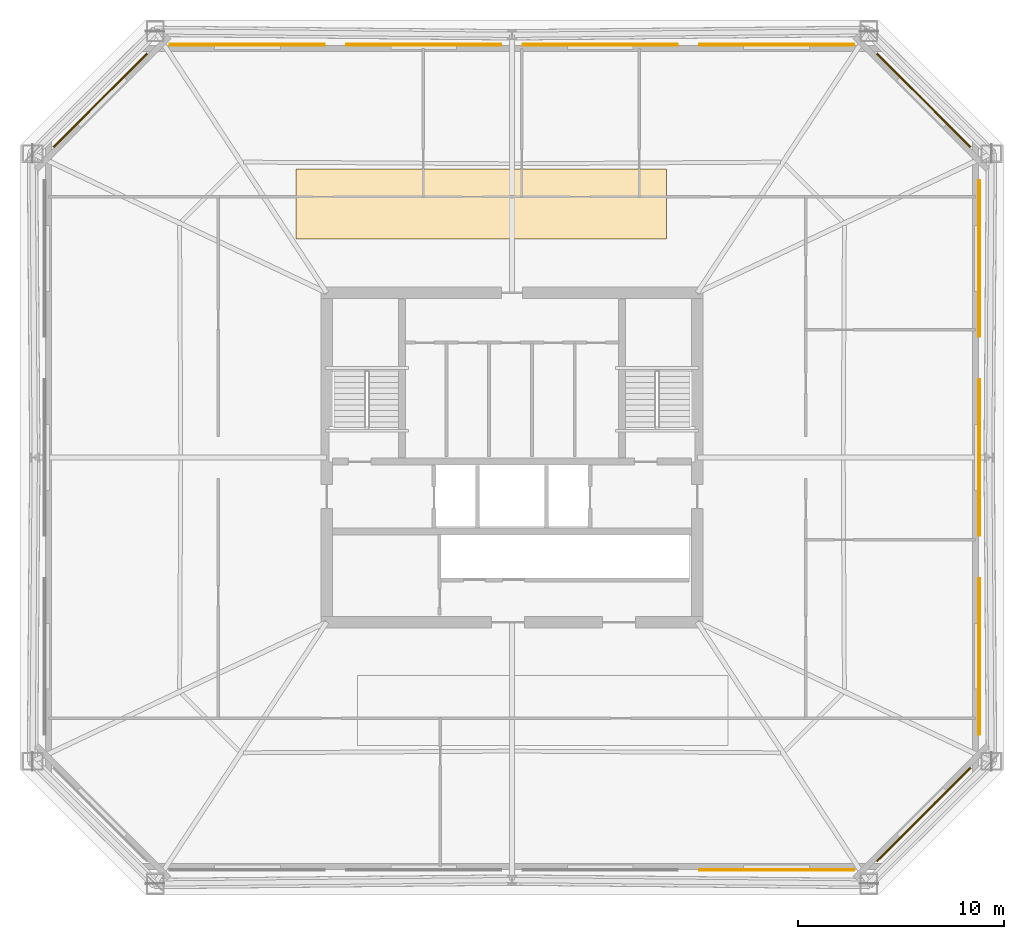
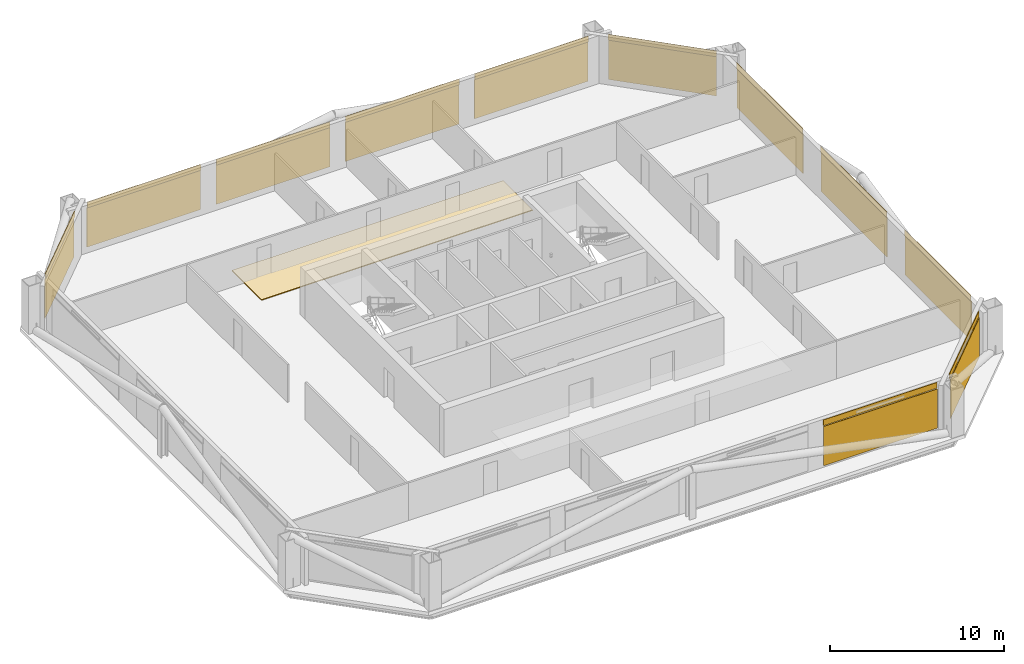
# One storey, part 6 of 6: 12 coverings, 11 shading devices.
"""IFC4 building model written with IfcOpenShell, lengths in metres."""

import ifcopenshell
import ifcopenshell.guid

model = None  # the IFC model being written
_history = None  # IfcOwnerHistory: only IFC2X3 demands one
_inside = {}  # id of a spatial element -> (the spatial element, [elements in it])
_under = {}  # id of a project, library or spatial element -> (it, [spatial elements below it])
_declared = {}  # id of a project -> (the project, [libraries it declares])
_typed = {}  # id of a type object -> (the type object, [elements of that type])
_made_of = {}  # id of a material, layer set ... -> (it, [elements and type objects made of it])


def new_model(schema):
    """Start an empty IFC model of exactly this schema.

    Asked for "IFC4X3", IfcOpenShell would pick the latest addendum, in which some entities
    have other attributes; the version numbers below select the first issue.
    IFC2X3 requires an IfcOwnerHistory on every rooted entity: one is made here for all.
    """
    global model, _history
    if schema == "IFC4X3":
        model = ifcopenshell.file(schema_version=(4, 3, 0, 0))
    else:
        model = ifcopenshell.file(schema=schema)
    _inside.clear()
    _under.clear()
    _declared.clear()
    _typed.clear()
    _made_of.clear()
    _history = None
    if model.schema == "IFC2X3":
        org = make("IfcOrganization", Name="unknown")
        user = make(
            "IfcPersonAndOrganization",
            ThePerson=make("IfcPerson", FamilyName="unknown"),
            TheOrganization=org,
        )
        app = make(
            "IfcApplication",
            ApplicationDeveloper=org,
            Version="unknown",
            ApplicationFullName="unknown",
            ApplicationIdentifier="unknown",
        )
        _history = make(
            "IfcOwnerHistory",
            OwningUser=user,
            OwningApplication=app,
            ChangeAction="ADDED",
            CreationDate=0,
        )
    return model


def make(cls, **values):
    """One entity of the class cls with the attributes given. An attribute that is None is left unset."""
    return model.create_entity(
        cls, **{name: value for name, value in values.items() if value is not None}
    )


def rooted(cls, **values):
    """An entity with a GlobalId (a new one), such as an element, a storey or a relation."""
    return make(cls, GlobalId=ifcopenshell.guid.new(), OwnerHistory=_history, **values)


def si_unit(unit_type, name, prefix=None):
    """IfcSIUnit, for example si_unit("LENGTHUNIT", "METRE", prefix="MILLI")."""
    return make("IfcSIUnit", UnitType=unit_type, Prefix=prefix, Name=name)


def assignment(units):
    """IfcUnitAssignment: the units of a project."""
    return None if units is None else make("IfcUnitAssignment", Units=units)


def point(xyz):
    """IfcCartesianPoint."""
    return None if xyz is None else make("IfcCartesianPoint", Coordinates=xyz)


def direction(xyz):
    """IfcDirection."""
    return None if xyz is None else make("IfcDirection", DirectionRatios=xyz)


def frame(location, z_axis=None, x_axis=None):
    """IfcAxis2Placement3D, a coordinate frame: its origin and axes. An axis left out is left unset."""
    return make(
        "IfcAxis2Placement3D",
        Location=point(location),
        Axis=direction(z_axis),
        RefDirection=direction(x_axis),
    )


def frame_2d(location, x_axis=None):
    """IfcAxis2Placement2D, a coordinate frame in the plane: its origin and x axis."""
    return make(
        "IfcAxis2Placement2D", Location=point(location), RefDirection=direction(x_axis)
    )


def origin():
    """The frame at (0, 0, 0) with its axes left unset."""
    return frame((0.0, 0.0, 0.0))


def origin_2d():
    """The frame at (0, 0) in the plane with its x axis left unset."""
    return frame_2d((0.0, 0.0))


def place(relative_to, where):
    """IfcLocalPlacement: puts the frame where relative to a parent placement (None: the world)."""
    return make(
        "IfcLocalPlacement", PlacementRelTo=relative_to, RelativePlacement=where
    )


def context(
    kind, dimensions, precision=None, world=None, true_north=None, identifier=None
):
    """IfcGeometricRepresentationContext, for example the 3D "Model" context."""
    return make(
        "IfcGeometricRepresentationContext",
        ContextIdentifier=identifier,
        ContextType=kind,
        CoordinateSpaceDimension=dimensions,
        Precision=precision,
        WorldCoordinateSystem=world,
        TrueNorth=true_north,
    )


def subcontext(parent, identifier, kind, view, scale=None):
    """IfcGeometricRepresentationSubContext, for example "Body" below "Model"."""
    return make(
        "IfcGeometricRepresentationSubContext",
        ContextIdentifier=identifier,
        ContextType=kind,
        ParentContext=parent,
        TargetScale=scale,
        TargetView=view,
    )


def project(units=None, contexts=None):
    """IfcProject with its units and contexts."""
    return rooted(
        "IfcProject",
        Name="project",
        RepresentationContexts=contexts,
        UnitsInContext=assignment(units),
    )


def spatial(cls, under=None, at=None, **own):
    """A site, building, storey or space (cls), placed at a placement, below another one or the project."""
    s = rooted(cls, ObjectPlacement=at, **own)
    if under is not None:
        _under.setdefault(under.id(), (under, []))[1].append(s)
    return s


def polyline(points):
    """IfcPolyline through the points."""
    return make("IfcPolyline", Points=[point(p) for p in points])


def profile(cls, at=None, kind="AREA", **sizes):
    """A parametric profile (cls). Its sizes go by their IFC names, for example OverallWidth=200.0."""
    return make(cls, ProfileType=kind, Position=at, **sizes)


def rectangle(**sizes):
    """IfcRectangleProfileDef."""
    return profile("IfcRectangleProfileDef", **sizes)


def outline(outer, holes=None, kind="AREA"):
    """IfcArbitraryClosedProfileDef: a profile drawn as a closed curve; with holes, ...WithVoids."""
    if holes is None:
        return make("IfcArbitraryClosedProfileDef", ProfileType=kind, OuterCurve=outer)
    return make(
        "IfcArbitraryProfileDefWithVoids",
        ProfileType=kind,
        OuterCurve=outer,
        InnerCurves=holes,
    )


def extrude(swept, where, along, depth):
    """IfcExtrudedAreaSolid: the profile swept, set in the frame where, extruded along a direction by depth."""
    return make(
        "IfcExtrudedAreaSolid",
        SweptArea=swept,
        Position=where,
        ExtrudedDirection=direction(along),
        Depth=depth,
    )


def shape(context_of_items, identifier, shape_type, items):
    """IfcShapeRepresentation: the items that make up one representation, for example the "Body"."""
    return make(
        "IfcShapeRepresentation",
        ContextOfItems=context_of_items,
        RepresentationIdentifier=identifier,
        RepresentationType=shape_type,
        Items=items,
    )


def material(Name=None, Category=None):
    """IfcMaterial."""
    return make("IfcMaterial", Name=Name, Category=Category)


def layer(
    of_material, thickness, ventilated=None, Name=None, Category=None, Priority=None
):
    """IfcMaterialLayer: one layer of a wall or slab, of a material (None: an air gap)."""
    return make(
        "IfcMaterialLayer",
        Material=of_material,
        LayerThickness=thickness,
        IsVentilated=ventilated,
        Name=Name,
        Category=Category,
        Priority=Priority,
    )


def layer_set(layers, Name=None):
    """IfcMaterialLayerSet."""
    return make("IfcMaterialLayerSet", MaterialLayers=layers, LayerSetName=Name)


def made_of(thing, what):
    """Note that an element or type object is made of a material, layer set ...; save() writes the relation."""
    if what is not None:
        _made_of.setdefault(what.id(), (what, []))[1].append(thing)
    return thing


def type_object(cls, material=None, **own):
    """A type object (cls), such as IfcWallType, which elements share."""
    return made_of(rooted(cls, **own), material)


def element(
    cls,
    number,
    at=None,
    inside=None,
    cuts=None,
    type_object=None,
    material=None,
    context=None,
    identifier="Body",
    shape_type=None,
    held_by="IfcProductDefinitionShape",
    body=None,
    shapes=None,
    **own,
):
    """One element of the class cls, such as IfcWall. Its Tag is "e" and its number.

    at: its placement. inside: the storey or other place that contains it. cuts: it is an
    opening in that element (IfcRelVoidsElement). A single representation is given by context,
    identifier, shape_type and body (its items); several are given by shapes. held_by: the class
    of the entity that holds the representations. save() writes the other relations.
    """
    e = rooted(cls, Tag="e%d" % number, ObjectPlacement=at, **own)
    if body is not None:
        shapes = [shape(context, identifier, shape_type, body)]
    if shapes is not None:
        e.Representation = make(held_by, Representations=shapes)
    if inside is not None:
        _inside.setdefault(inside.id(), (inside, []))[1].append(e)
    if cuts is not None:
        rooted(
            "IfcRelVoidsElement", RelatingBuildingElement=cuts, RelatedOpeningElement=e
        )
    if type_object is not None:
        _typed.setdefault(type_object.id(), (type_object, []))[1].append(e)
    return made_of(e, material)


def aggregate(whole, parts):
    """IfcRelAggregates: a whole, such as a stair, and the parts it consists of."""
    return rooted("IfcRelAggregates", RelatingObject=whole, RelatedObjects=parts)


def save(model, path):
    """Write the relations noted so far, then the file.

    IfcRelAggregates (storeys below a building ...), IfcRelContainedInSpatialStructure (elements
    in a storey), IfcRelDefinesByType, IfcRelAssociatesMaterial and IfcRelDeclares: one each for
    every whole, place, type object, material and project.
    """
    for whole, parts in _under.values():
        aggregate(whole, parts)
    for where, things in _inside.values():
        rooted(
            "IfcRelContainedInSpatialStructure",
            RelatedElements=things,
            RelatingStructure=where,
        )
    for kind, things in _typed.values():
        rooted("IfcRelDefinesByType", RelatedObjects=things, RelatingType=kind)
    for what, things in _made_of.values():
        rooted("IfcRelAssociatesMaterial", RelatedObjects=things, RelatingMaterial=what)
    for by, libraries in _declared.values():
        rooted("IfcRelDeclares", RelatingContext=by, RelatedDefinitions=libraries)
    model.write(path)


model = new_model("IFC4")

# Units and contexts
model_context = context("Model", 3, precision=1e-05, world=origin(), true_north=direction((0.0, 1.0)))
body_context = subcontext(model_context, "Body", "Model", "MODEL_VIEW")
ifc_project = project(units=[si_unit("LENGTHUNIT", "METRE"), si_unit("AREAUNIT", "SQUARE_METRE"), si_unit("VOLUMEUNIT", "CUBIC_METRE"), si_unit("PLANEANGLEUNIT", "RADIAN"), si_unit("MASSUNIT", "GRAM", prefix="KILO")], contexts=[model_context])

# Site, building, storey
site_placement = place(None, origin())
site = spatial("IfcSite", under=ifc_project, at=site_placement, CompositionType="ELEMENT")
building_placement = place(site_placement, origin())
building = spatial("IfcBuilding", under=site, at=building_placement, Name="Caelvoria Tower", CompositionType="ELEMENT")
storey_placement = place(building_placement, frame((0.0, 0.0, 127.60009765625)))
storey = spatial("IfcBuildingStorey", under=building, at=storey_placement, Name="L33", CompositionType="ELEMENT", Elevation=127.60009765625)

# Coverings
ifc_material_1 = material(Name="Perforated Architectural Bronze Cladding Screen", Category="bronze")
ifc_layer_1 = layer(ifc_material_1, 0.0400390625, Name="Perforated Architectural Bronze Cladding Screen")
ifc_layer_set_1 = layer_set([ifc_layer_1], Name="Perforated Bronze Louvre Cladding Band 40 - Perforated Architectural Bronze Cladding Screen")
covering_type_1 = type_object("IfcCoveringType", Name="Perforated Bronze Louvre Cladding Band 40", PredefinedType="CLADDING", material=ifc_layer_set_1)
covering_1_placement = place(storey_placement, frame((58.85498046875, 11.97802734375, 2.93994140625), z_axis=(0.0, 0.0, 1.0), x_axis=(1.0, 0.0, 0.0)))
element("IfcCovering", 1, at=covering_1_placement, inside=storey, type_object=covering_type_1, Name="Perforated Bronze Screen Band L33-E0-03", PredefinedType="CLADDING", context=body_context, shape_type="SweptSolid", body=[
    extrude(rectangle(XDim=7.54150390625, YDim=0.0400390625, at=origin_2d()), origin(), (0.0, 0.0, 1.0), 0.39990234375),
])
covering_2_placement = place(storey_placement, frame((65.981689453125, 14.668212890625, 2.93994140625), z_axis=(0.0, 0.0, 1.0), x_axis=(0.707106781187, 0.707106781187, 0.0)))
element("IfcCovering", 2, at=covering_2_placement, inside=storey, type_object=covering_type_1, Name="Perforated Bronze Screen Band L33-E1-00", PredefinedType="CLADDING", context=body_context, shape_type="SweptSolid", body=[
    extrude(rectangle(XDim=6.429931640625, YDim=0.0400390625, at=origin_2d()), origin(), (0.0, 0.0, 1.0), 0.39990234375),
])
for number, where, z_axis, x_axis, name in (
    (3, (68.672119140625, 22.340087890625, 2.93994140625), (0.0, 0.0, 1.0), (0.0, 1.0, 0.0), "Perforated Bronze Screen Band L33-E2-00"),
    (4, (68.672119140625, 32.0, 2.93994140625), (0.0, 0.0, 1.0), (0.0, 1.0, 0.0), "Perforated Bronze Screen Band L33-E2-01"),
    (5, (68.672119140625, 41.659912109375, 2.93994140625), (0.0, 0.0, 1.0), (0.0, 1.0, 0.0), "Perforated Bronze Screen Band L33-E2-02"),
):
    element("IfcCovering", number, at=place(storey_placement, frame(where, z_axis=z_axis, x_axis=x_axis)), inside=storey, type_object=covering_type_1, Name=name, PredefinedType="CLADDING", context=body_context, shape_type="SweptSolid", body=[
        extrude(rectangle(XDim=7.60009765625, YDim=0.0400390625, at=origin_2d()), origin(), (0.0, 0.0, 1.0), 0.39990234375),
    ])
covering_3_placement = place(storey_placement, frame((65.981689453125, 49.331787109375, 2.93994140625), z_axis=(0.0, 0.0, 1.0), x_axis=(-0.707106781187, 0.707106781187, 0.0)))
element("IfcCovering", 6, at=covering_3_placement, inside=storey, type_object=covering_type_1, Name="Perforated Bronze Screen Band L33-E3-00", PredefinedType="CLADDING", context=body_context, shape_type="SweptSolid", body=[
    extrude(rectangle(XDim=6.429931640625, YDim=0.0400390625, at=origin_2d()), origin(), (0.0, 0.0, 1.0), 0.39990234375),
])
for number, where, z_axis, x_axis, name in (
    (7, (58.85498046875, 52.02197265625, 2.93994140625), (0.0, 0.0, 1.0), (-1.0, 0.0, 0.0), "Perforated Bronze Screen Band L33-E4-00"),
    (8, (50.284912109375, 52.02197265625, 2.93994140625), (0.0, 0.0, 1.0), (-1.0, 0.0, 0.0), "Perforated Bronze Screen Band L33-E4-01"),
    (9, (41.715087890625, 52.02197265625, 2.93994140625), (0.0, 0.0, 1.0), (-1.0, 0.0, 0.0), "Perforated Bronze Screen Band L33-E4-02"),
    (10, (33.14501953125, 52.02197265625, 2.93994140625), (0.0, 0.0, 1.0), (-1.0, 0.0, 0.0), "Perforated Bronze Screen Band L33-E4-03"),
):
    element("IfcCovering", number, at=place(storey_placement, frame(where, z_axis=z_axis, x_axis=x_axis)), inside=storey, type_object=covering_type_1, Name=name, PredefinedType="CLADDING", context=body_context, shape_type="SweptSolid", body=[
        extrude(rectangle(XDim=7.54150390625, YDim=0.0400390625, at=origin_2d()), origin(), (0.0, 0.0, 1.0), 0.39990234375),
    ])
covering_4_placement = place(storey_placement, frame((26.018310546875, 49.331787109375, 2.93994140625), z_axis=(0.0, 0.0, 1.0), x_axis=(-0.707106781187, -0.707106781187, 0.0)))
element("IfcCovering", 11, at=covering_4_placement, inside=storey, type_object=covering_type_1, Name="Perforated Bronze Screen Band L33-E5-00", PredefinedType="CLADDING", context=body_context, shape_type="SweptSolid", body=[
    extrude(rectangle(XDim=6.429931640625, YDim=0.0400390625, at=origin_2d()), origin(), (0.0, 0.0, 1.0), 0.39990234375),
])

# Shading devices
ifc_material_2 = material(Name="Perforated Architectural Bronze Alloy Panel", Category="bronze")
ifc_layer_2 = layer(ifc_material_2, 0.044921875, Name="Perforated Architectural Bronze Alloy Panel")
ifc_layer_set_2 = layer_set([ifc_layer_2], Name="Perforated Bronze Solar Screen Panel SCREEN - Perforated Architectural Bronze Alloy Panel")
shading_device_type = type_object("IfcShadingDeviceType", Name="Perforated Bronze Solar Screen Panel SCREEN", PredefinedType="USERDEFINED", material=ifc_layer_set_2)
shading_device_1_placement = place(storey_placement, frame((58.85498046875, 11.93505859375, 0.159912109375), z_axis=(0.0, 0.0, 1.0), x_axis=(1.0, 0.0, 0.0)))
element("IfcShadingDevice", 12, at=shading_device_1_placement, inside=storey, type_object=shading_device_type, Name="Perforated Bronze Solar Screen L33-E0-03", ObjectType="SCREEN", PredefinedType="USERDEFINED", context=body_context, shape_type="SweptSolid", body=[
    extrude(rectangle(XDim=7.54150390625, YDim=0.044921875, at=origin_2d()), origin(), (0.0, 0.0, 1.0), 2.75),
])
shading_device_2_placement = place(storey_placement, frame((66.01220703125, 14.637939453125, 0.159912109375), z_axis=(0.0, 0.0, 1.0), x_axis=(0.707106781187, 0.707106781187, 0.0)))
element("IfcShadingDevice", 13, at=shading_device_2_placement, inside=storey, type_object=shading_device_type, Name="Perforated Bronze Solar Screen L33-E1-00", ObjectType="SCREEN", PredefinedType="USERDEFINED", context=body_context, shape_type="SweptSolid", body=[
    extrude(rectangle(XDim=6.429931640625, YDim=0.044921875, at=origin_2d()), origin(), (0.0, 0.0, 1.0), 2.75),
])
for number, where, z_axis, x_axis, name in (
    (14, (68.715087890625, 22.340087890625, 0.159912109375), (0.0, 0.0, 1.0), (0.0, 1.0, 0.0), "Perforated Bronze Solar Screen L33-E2-00"),
    (15, (68.715087890625, 32.0, 0.159912109375), (0.0, 0.0, 1.0), (0.0, 1.0, 0.0), "Perforated Bronze Solar Screen L33-E2-01"),
    (16, (68.715087890625, 41.659912109375, 0.159912109375), (0.0, 0.0, 1.0), (0.0, 1.0, 0.0), "Perforated Bronze Solar Screen L33-E2-02"),
):
    element("IfcShadingDevice", number, at=place(storey_placement, frame(where, z_axis=z_axis, x_axis=x_axis)), inside=storey, type_object=shading_device_type, Name=name, ObjectType="SCREEN", PredefinedType="USERDEFINED", context=body_context, shape_type="SweptSolid", body=[
        extrude(rectangle(XDim=7.60009765625, YDim=0.044921875, at=origin_2d()), origin(), (0.0, 0.0, 1.0), 2.75),
    ])
shading_device_3_placement = place(storey_placement, frame((66.01220703125, 49.362060546875, 0.159912109375), z_axis=(0.0, 0.0, 1.0), x_axis=(-0.707106781187, 0.707106781187, 0.0)))
element("IfcShadingDevice", 17, at=shading_device_3_placement, inside=storey, type_object=shading_device_type, Name="Perforated Bronze Solar Screen L33-E3-00", ObjectType="SCREEN", PredefinedType="USERDEFINED", context=body_context, shape_type="SweptSolid", body=[
    extrude(rectangle(XDim=6.429931640625, YDim=0.044921875, at=origin_2d()), origin(), (0.0, 0.0, 1.0), 2.75),
])
for number, where, z_axis, x_axis, name in (
    (18, (58.85498046875, 52.06494140625, 0.159912109375), (0.0, 0.0, 1.0), (-1.0, 0.0, 0.0), "Perforated Bronze Solar Screen L33-E4-00"),
    (19, (50.284912109375, 52.06494140625, 0.159912109375), (0.0, 0.0, 1.0), (-1.0, 0.0, 0.0), "Perforated Bronze Solar Screen L33-E4-01"),
    (20, (41.715087890625, 52.06494140625, 0.159912109375), (0.0, 0.0, 1.0), (-1.0, 0.0, 0.0), "Perforated Bronze Solar Screen L33-E4-02"),
    (21, (33.14501953125, 52.06494140625, 0.159912109375), (0.0, 0.0, 1.0), (-1.0, 0.0, 0.0), "Perforated Bronze Solar Screen L33-E4-03"),
):
    element("IfcShadingDevice", number, at=place(storey_placement, frame(where, z_axis=z_axis, x_axis=x_axis)), inside=storey, type_object=shading_device_type, Name=name, ObjectType="SCREEN", PredefinedType="USERDEFINED", context=body_context, shape_type="SweptSolid", body=[
        extrude(rectangle(XDim=7.54150390625, YDim=0.044921875, at=origin_2d()), origin(), (0.0, 0.0, 1.0), 2.75),
    ])
shading_device_4_placement = place(storey_placement, frame((25.98779296875, 49.362060546875, 0.159912109375), z_axis=(0.0, 0.0, 1.0), x_axis=(-0.707106781187, -0.707106781187, 0.0)))
element("IfcShadingDevice", 22, at=shading_device_4_placement, inside=storey, type_object=shading_device_type, Name="Perforated Bronze Solar Screen L33-E5-00", ObjectType="SCREEN", PredefinedType="USERDEFINED", context=body_context, shape_type="SweptSolid", body=[
    extrude(rectangle(XDim=6.429931640625, YDim=0.044921875, at=origin_2d()), origin(), (0.0, 0.0, 1.0), 2.75),
])

# Covering
ifc_material_3 = material(Name="Calcium-Sulphate Raised Floor Tile", Category="gypsum")
ifc_layer_3 = layer(ifc_material_3, 0.06005859375, Name="Calcium-Sulphate Raised Floor Tile")
ifc_layer_set_3 = layer_set([ifc_layer_3], Name="Raised Access Office Floor System 120 - Calcium-Sulphate Raised Floor Tile")
covering_type_2 = type_object("IfcCoveringType", Name="Raised Access Office Floor System 120", PredefinedType="FLOORING", material=ifc_layer_set_3)
covering_5_placement = place(storey_placement, origin())
element("IfcCovering", 23, at=covering_5_placement, inside=storey, type_object=covering_type_2, Name="Raised Access Flooring L33", PredefinedType="FLOORING", context=body_context, shape_type="SweptSolid", body=[
    extrude(outline(polyline([(35.5, 42.60009765625), (53.5, 42.60009765625), (53.5, 46.0), (35.5, 46.0), (35.5, 42.60009765625)])), origin(), (0.0, 0.0, 1.0), 0.059814453125),
])

save(model, "model.ifc")
